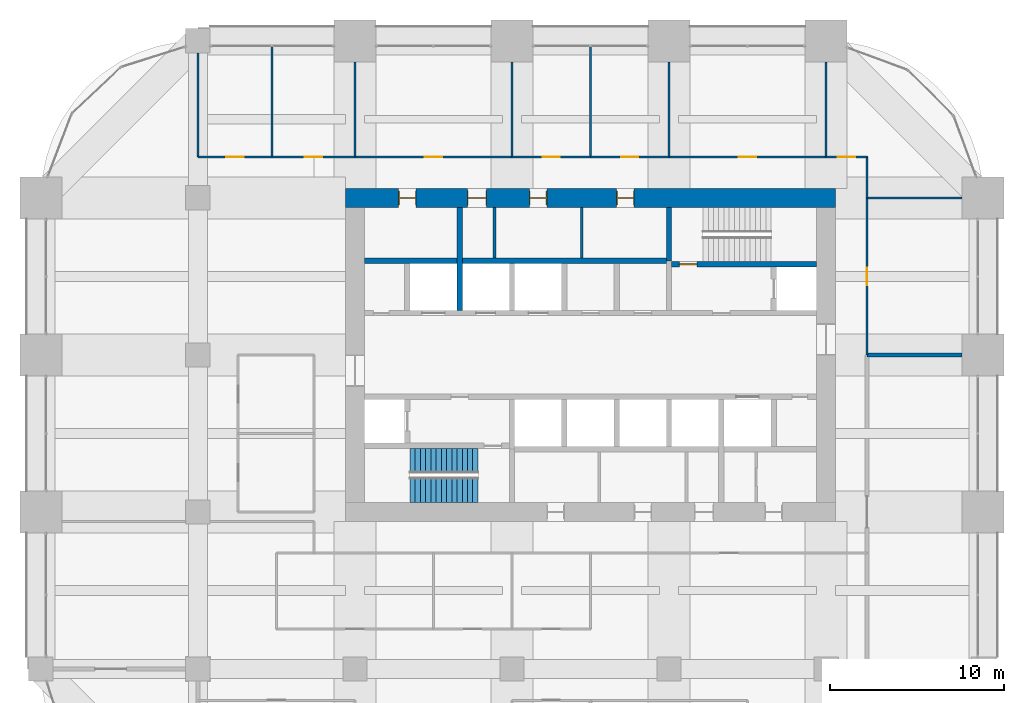
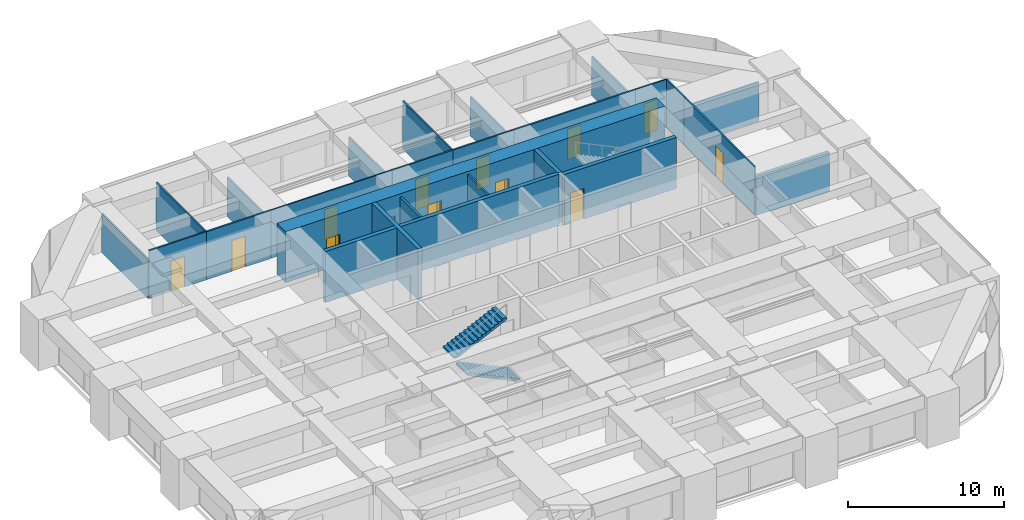
# One storey, part 32 of 34: 25 walls, 13 doors, 2 stair flights, 13 openings, 1 element without a shape of its own.
"""IFC4 building model written with IfcOpenShell, lengths in metres."""

from ifc_helpers import new_model, si_unit, direction, frame, frame_2d, origin, place, context, subcontext, project, spatial, polyline, rectangle, outline, extrude, material, layer, layer_set, type_object, element, fill, aggregate, save


model = new_model("IFC4")

# Units and contexts
model_context = context("Model", 3, precision=1e-05, world=origin(), true_north=direction((0.0, 1.0)))
body_context = subcontext(model_context, "Body", "Model", "MODEL_VIEW")
ifc_project = project(units=[si_unit("LENGTHUNIT", "METRE"), si_unit("AREAUNIT", "SQUARE_METRE"), si_unit("VOLUMEUNIT", "CUBIC_METRE"), si_unit("PLANEANGLEUNIT", "RADIAN"), si_unit("MASSUNIT", "GRAM", prefix="KILO")], contexts=[model_context])

# Site, building, storey
site_placement = place(None, origin())
site = spatial("IfcSite", under=ifc_project, at=site_placement, CompositionType="ELEMENT")
building_placement = place(site_placement, origin())
building = spatial("IfcBuilding", under=site, at=building_placement, Name="Zorevar Civic Tower", CompositionType="ELEMENT")
storey_placement = place(building_placement, frame((0.0, 0.0, 226.199951171875)))
storey = spatial("IfcBuildingStorey", under=building, at=storey_placement, Name="L55", CompositionType="ELEMENT", Elevation=226.199951171875)

# Wall
ifc_material_1 = material(Name="Twin-stud acoustic wall, gypsum board")
ifc_layer_1 = layer(ifc_material_1, 0.25)
ifc_layer_set_1 = layer_set([ifc_layer_1], Name="Acoustic wall 250")
wall_type_1 = type_object("IfcWallType", Name="Acoustic wall 250", PredefinedType="PARTITIONING", material=ifc_layer_set_1)
wall_1_placement = place(storey_placement, frame((47.35009765625, 27.0, 0.0), z_axis=(0.0, 0.0, 1.0), x_axis=(1.0, 0.0, 0.0)))
element("IfcWall", 1, at=wall_1_placement, inside=storey, type_object=wall_type_1, Name="Acoustic wall 250 L55", PredefinedType="PARTITIONING", context=body_context, shape_type="SweptSolid", body=[
    extrude(rectangle(XDim=5.449951171875, YDim=0.25, at=frame_2d((2.72509765625, 0.0))), origin(), (0.0, 0.0, 1.0), 3.050048828125),
])

# Wall, openings, doors
ifc_material_2 = material(Name="Concrete C50/60", Category="concrete")
ifc_layer_2 = layer(ifc_material_2, 1.10009765625)
ifc_layer_set_2 = layer_set([ifc_layer_2], Name="Core wall 1100")
wall_type_2 = type_object("IfcWallType", Name="Core wall 1100", PredefinedType="SHEAR", material=ifc_layer_set_2)
wall_2_placement = place(storey_placement, frame((45.550048828125, 36.0, 0.0), z_axis=(0.0, 0.0, 1.0), x_axis=(-1.0, 0.0, 0.0)))
wall_2 = element("IfcWall", 2, at=wall_2_placement, inside=storey, type_object=wall_type_2, Name="Core wall N L55", PredefinedType="SHEAR", context=body_context, shape_type="SweptSolid", body=[
    extrude(rectangle(XDim=28.10009765625, YDim=1.10009765625, at=frame_2d((14.050048828125, 0.0))), origin(), (0.0, 0.0, 1.0), 4.0),
])
opening_1_placement = place(wall_2_placement, frame((11.550048828125, 0.0, 0.0)))
opening_1 = element("IfcOpeningElement", 3, at=opening_1_placement, cuts=wall_2, Name="Opening L55.07", PredefinedType="OPENING", context=body_context, shape_type="SweptSolid", body=[
    extrude(rectangle(XDim=1.0, YDim=2.39990234375, at=frame_2d((0.5, 1.199951171875))), frame((0.0, 0.56005859375, 0.0), z_axis=(0.0, -1.0, 0.0), x_axis=(1.0, 0.0, 0.0)), (0.0, 0.0, 1.0), 1.1201171875),
])
opening_2_placement = place(wall_2_placement, frame((16.550048828125, 0.0, 0.0)))
opening_2 = element("IfcOpeningElement", 4, at=opening_2_placement, cuts=wall_2, Name="Opening L55.08", PredefinedType="OPENING", context=body_context, shape_type="SweptSolid", body=[
    extrude(rectangle(XDim=1.0, YDim=2.39990234375, at=frame_2d((0.5, 1.199951171875))), frame((0.0, 0.56005859375, 0.0), z_axis=(0.0, -1.0, 0.0), x_axis=(1.0, 0.0, 0.0)), (0.0, 0.0, 1.0), 1.1201171875),
])
opening_3_placement = place(wall_2_placement, frame((20.0, 0.0, 0.0)))
opening_3 = element("IfcOpeningElement", 5, at=opening_3_placement, cuts=wall_2, Name="Opening L55.09", PredefinedType="OPENING", context=body_context, shape_type="SweptSolid", body=[
    extrude(rectangle(XDim=1.10009765625, YDim=2.39990234375, at=frame_2d((0.550048828125, 1.199951171875))), frame((0.0, 0.56005859375, 0.0), z_axis=(0.0, -1.0, 0.0), x_axis=(1.0, 0.0, 0.0)), (0.0, 0.0, 1.0), 1.1201171875),
])
opening_4_placement = place(wall_2_placement, frame((24.050048828125, 0.0, 0.0)))
opening_4 = element("IfcOpeningElement", 6, at=opening_4_placement, cuts=wall_2, Name="Opening L55.10", PredefinedType="OPENING", context=body_context, shape_type="SweptSolid", body=[
    extrude(rectangle(XDim=1.0, YDim=2.39990234375, at=frame_2d((0.5, 1.199951171875))), frame((0.0, 0.56005859375, 0.0), z_axis=(0.0, -1.0, 0.0), x_axis=(1.0, 0.0, 0.0)), (0.0, 0.0, 1.0), 1.1201171875),
])
ifc_material_3 = material(Name="Timber door set", Category="wood")
door_type_1 = type_object("IfcDoorType", Name="Door D1 1000x2400", OperationType="SINGLE_SWING_LEFT", PredefinedType="DOOR", material=ifc_material_3)
door_1_placement = place(opening_1_placement, origin())
door_1 = element("IfcDoor", 7, at=door_1_placement, inside=storey, type_object=door_type_1, Name="Door L55 06", OperationType="SINGLE_SWING_RIGHT", OverallHeight=2.39990234375, OverallWidth=1.0, PredefinedType="DOOR", context=body_context, shape_type="SweptSolid", body=[
    extrude(rectangle(XDim=1.0, YDim=2.39990234375, at=frame_2d((0.5, 1.199951171875))), frame((0.0, 0.02490234375, 0.0), z_axis=(0.0, -1.0, 0.0), x_axis=(1.0, 0.0, 0.0)), (0.0, 0.0, 1.0), 0.050048828125),
    extrude(rectangle(XDim=0.04, YDim=2.39990234375, at=frame_2d((0.02001953125, 1.199951171875))), frame((0.0, 0.39990234375, 0.0), z_axis=(0.0, -1.0, 0.0), x_axis=(1.0, 0.0, 0.0)), (0.0, 0.0, 1.0), 0.800048828125),
    extrude(rectangle(XDim=0.04, YDim=2.39990234375, at=frame_2d((0.97998046875, 1.199951171875))), frame((0.0, 0.39990234375, 0.0), z_axis=(0.0, -1.0, 0.0), x_axis=(1.0, 0.0, 0.0)), (0.0, 0.0, 1.0), 0.800048828125),
    extrude(rectangle(XDim=1.0, YDim=0.04, at=frame_2d((0.5, 2.3798828125))), frame((0.0, 0.39990234375, 0.0), z_axis=(0.0, -1.0, 0.0), x_axis=(1.0, 0.0, 0.0)), (0.0, 0.0, 1.0), 0.800048828125),
])
fill(opening_1, door_1)
door_2_placement = place(opening_2_placement, origin())
door_2 = element("IfcDoor", 8, at=door_2_placement, inside=storey, type_object=door_type_1, Name="Door L55 07", OperationType="SINGLE_SWING_LEFT", OverallHeight=2.39990234375, OverallWidth=1.0, PredefinedType="DOOR", context=body_context, shape_type="SweptSolid", body=[
    extrude(rectangle(XDim=1.0, YDim=2.39990234375, at=frame_2d((0.5, 1.199951171875))), frame((0.0, 0.02490234375, 0.0), z_axis=(0.0, -1.0, 0.0), x_axis=(1.0, 0.0, 0.0)), (0.0, 0.0, 1.0), 0.050048828125),
    extrude(rectangle(XDim=0.04, YDim=2.39990234375, at=frame_2d((0.02001953125, 1.199951171875))), frame((0.0, 0.39990234375, 0.0), z_axis=(0.0, -1.0, 0.0), x_axis=(1.0, 0.0, 0.0)), (0.0, 0.0, 1.0), 0.800048828125),
    extrude(rectangle(XDim=0.04, YDim=2.39990234375, at=frame_2d((0.97998046875, 1.199951171875))), frame((0.0, 0.39990234375, 0.0), z_axis=(0.0, -1.0, 0.0), x_axis=(1.0, 0.0, 0.0)), (0.0, 0.0, 1.0), 0.800048828125),
    extrude(rectangle(XDim=1.0, YDim=0.04, at=frame_2d((0.5, 2.3798828125))), frame((0.0, 0.39990234375, 0.0), z_axis=(0.0, -1.0, 0.0), x_axis=(1.0, 0.0, 0.0)), (0.0, 0.0, 1.0), 0.800048828125),
])
fill(opening_2, door_2)
door_3_placement = place(opening_4_placement, origin())
door_3 = element("IfcDoor", 9, at=door_3_placement, inside=storey, type_object=door_type_1, Name="Door L55 09", OperationType="SINGLE_SWING_LEFT", OverallHeight=2.39990234375, OverallWidth=1.0, PredefinedType="DOOR", context=body_context, shape_type="SweptSolid", body=[
    extrude(rectangle(XDim=1.0, YDim=2.39990234375, at=frame_2d((0.5, 1.199951171875))), frame((0.0, 0.02490234375, 0.0), z_axis=(0.0, -1.0, 0.0), x_axis=(1.0, 0.0, 0.0)), (0.0, 0.0, 1.0), 0.050048828125),
    extrude(rectangle(XDim=0.04, YDim=2.39990234375, at=frame_2d((0.02001953125, 1.199951171875))), frame((0.0, 0.39990234375, 0.0), z_axis=(0.0, -1.0, 0.0), x_axis=(1.0, 0.0, 0.0)), (0.0, 0.0, 1.0), 0.800048828125),
    extrude(rectangle(XDim=0.04, YDim=2.39990234375, at=frame_2d((0.97998046875, 1.199951171875))), frame((0.0, 0.39990234375, 0.0), z_axis=(0.0, -1.0, 0.0), x_axis=(1.0, 0.0, 0.0)), (0.0, 0.0, 1.0), 0.800048828125),
    extrude(rectangle(XDim=1.0, YDim=0.04, at=frame_2d((0.5, 2.3798828125))), frame((0.0, 0.39990234375, 0.0), z_axis=(0.0, -1.0, 0.0), x_axis=(1.0, 0.0, 0.0)), (0.0, 0.0, 1.0), 0.800048828125),
])
fill(opening_4, door_3)
ifc_material_4 = material(Name="Timber door set", Category="wood")
door_type_2 = type_object("IfcDoorType", Name="Door D5 1100x2400", OperationType="SINGLE_SWING_LEFT", PredefinedType="DOOR", material=ifc_material_4)
door_4_placement = place(opening_3_placement, origin())
door_4 = element("IfcDoor", 10, at=door_4_placement, inside=storey, type_object=door_type_2, Name="Door L55 08", OperationType="SINGLE_SWING_LEFT", OverallHeight=2.39990234375, OverallWidth=1.10009765625, PredefinedType="DOOR", context=body_context, shape_type="SweptSolid", body=[
    extrude(rectangle(XDim=1.10009765625, YDim=2.39990234375, at=frame_2d((0.550048828125, 1.199951171875))), frame((0.0, 0.02490234375, 0.0), z_axis=(0.0, -1.0, 0.0), x_axis=(1.0, 0.0, 0.0)), (0.0, 0.0, 1.0), 0.050048828125),
    extrude(rectangle(XDim=0.04, YDim=2.39990234375, at=frame_2d((0.02001953125, 1.199951171875))), frame((0.0, 0.43994140625, 0.0), z_axis=(0.0, -1.0, 0.0), x_axis=(1.0, 0.0, 0.0)), (0.0, 0.0, 1.0), 0.880126953125),
    extrude(rectangle(XDim=0.04, YDim=2.39990234375, at=frame_2d((1.080078125, 1.199951171875))), frame((0.0, 0.43994140625, 0.0), z_axis=(0.0, -1.0, 0.0), x_axis=(1.0, 0.0, 0.0)), (0.0, 0.0, 1.0), 0.880126953125),
    extrude(rectangle(XDim=1.10009765625, YDim=0.04, at=frame_2d((0.550048828125, 2.3798828125))), frame((0.0, 0.43994140625, 0.0), z_axis=(0.0, -1.0, 0.0), x_axis=(1.0, 0.0, 0.0)), (0.0, 0.0, 1.0), 0.880126953125),
])
fill(opening_3, door_4)

# Wall, opening, door
ifc_material_5 = material(Name="Laminated glass in black aluminium frame", Category="aluminium")
ifc_layer_3 = layer(ifc_material_5, 0.10009765625)
ifc_layer_set_3 = layer_set([ifc_layer_3], Name="Glazed partition 100")
wall_type_3 = type_object("IfcWallType", Name="Glazed partition 100", PredefinedType="PARTITIONING", material=ifc_layer_set_3)
wall_3_placement = place(storey_placement, frame((18.0, 38.35009765625, 0.0), z_axis=(0.0, 0.0, 1.0), x_axis=(1.0, 0.0, 0.0)))
wall_3 = element("IfcWall", 11, at=wall_3_placement, inside=storey, type_object=wall_type_3, Name="Glazed partition 100 L55", PredefinedType="PARTITIONING", context=body_context, shape_type="SweptSolid", body=[
    extrude(rectangle(XDim=9.0, YDim=0.10009765625, at=frame_2d((4.5, 0.0))), origin(), (0.0, 0.0, 1.0), 3.75),
])
opening_5_placement = place(wall_3_placement, frame((4.0, 0.0, 0.0)))
opening_5 = element("IfcOpeningElement", 12, at=opening_5_placement, cuts=wall_3, Name="Opening L55.29", PredefinedType="OPENING", context=body_context, shape_type="SweptSolid", body=[
    extrude(rectangle(XDim=1.0, YDim=2.39990234375, at=frame_2d((0.5, 1.199951171875))), frame((0.0, 0.06005859375, 0.0), z_axis=(0.0, -1.0, 0.0), x_axis=(1.0, 0.0, 0.0)), (0.0, 0.0, 1.0), 0.1201171875),
])
ifc_material_6 = material(Name="Timber door set", Category="wood")
door_type_3 = type_object("IfcDoorType", Name="Glazed door GD1 1000x2400", OperationType="SINGLE_SWING_LEFT", PredefinedType="DOOR", material=ifc_material_6)
door_5_placement = place(opening_5_placement, origin())
door_5 = element("IfcDoor", 13, at=door_5_placement, inside=storey, type_object=door_type_3, Name="Door L55 D1", OperationType="SINGLE_SWING_LEFT", OverallHeight=2.39990234375, OverallWidth=1.0, PredefinedType="DOOR", context=body_context, shape_type="SweptSolid", body=[
    extrude(rectangle(XDim=1.0, YDim=2.39990234375, at=frame_2d((0.5, 1.199951171875))), frame((0.0, 0.02001953125, 0.0), z_axis=(0.0, -1.0, 0.0), x_axis=(1.0, 0.0, 0.0)), (0.0, 0.0, 1.0), 0.0400390625),
])
fill(opening_5, door_5)

wall_4_placement = place(storey_placement, frame((45.0, 38.35009765625, 0.0), z_axis=(0.0, 0.0, 1.0), x_axis=(1.0, 0.0, 0.0)))
wall_4 = element("IfcWall", 14, at=wall_4_placement, inside=storey, type_object=wall_type_3, Name="Glazed partition 100 L55", PredefinedType="PARTITIONING", context=body_context, shape_type="SweptSolid", body=[
    extrude(rectangle(XDim=2.35009765625, YDim=0.10009765625, at=frame_2d((1.175048828125, 0.0))), origin(), (0.0, 0.0, 1.0), 3.75),
])
opening_6_placement = place(wall_4_placement, frame((0.675048828125, 0.0, 0.0)))
opening_6 = element("IfcOpeningElement", 15, at=opening_6_placement, cuts=wall_4, Name="Opening L55.30", PredefinedType="OPENING", context=body_context, shape_type="SweptSolid", body=[
    extrude(rectangle(XDim=1.0, YDim=2.39990234375, at=frame_2d((0.5, 1.199951171875))), frame((0.0, 0.06005859375, 0.0), z_axis=(0.0, -1.0, 0.0), x_axis=(1.0, 0.0, 0.0)), (0.0, 0.0, 1.0), 0.1201171875),
])
door_6_placement = place(opening_6_placement, origin())
door_6 = element("IfcDoor", 16, at=door_6_placement, inside=storey, type_object=door_type_3, Name="Door L55 D1", OperationType="SINGLE_SWING_RIGHT", OverallHeight=2.39990234375, OverallWidth=1.0, PredefinedType="DOOR", context=body_context, shape_type="SweptSolid", body=[
    extrude(rectangle(XDim=1.0, YDim=2.39990234375, at=frame_2d((0.5, 1.199951171875))), frame((0.0, 0.02001953125, 0.0), z_axis=(0.0, -1.0, 0.0), x_axis=(1.0, 0.0, 0.0)), (0.0, 0.0, 1.0), 0.0400390625),
])
fill(opening_6, door_6)

# Wall
wall_5_placement = place(storey_placement, frame((47.35009765625, 36.0, 0.0), z_axis=(0.0, 0.0, 1.0), x_axis=(0.0, 1.0, 0.0)))
element("IfcWall", 17, at=wall_5_placement, inside=storey, type_object=wall_type_3, Name="Glazed partition 100 L55", PredefinedType="PARTITIONING", context=body_context, shape_type="SweptSolid", body=[
    extrude(rectangle(XDim=2.35009765625, YDim=0.10009765625, at=frame_2d((1.175048828125, 0.0))), origin(), (0.0, 0.0, 1.0), 3.75),
])

# Wall, opening, door
ifc_material_7 = material(Name="Concrete C40/50", Category="concrete")
ifc_layer_4 = layer(ifc_material_7, 0.300048828125)
ifc_layer_set_4 = layer_set([ifc_layer_4], Name="Inner core wall 300")
wall_type_4 = type_object("IfcWallType", Name="Inner core wall 300", PredefinedType="SHEAR", material=ifc_layer_set_4)
wall_6_placement = place(storey_placement, frame((36.14990234375, 32.199951171875, 0.0), z_axis=(0.0, 0.0, 1.0), x_axis=(1.0, 0.0, 0.0)))
wall_6 = element("IfcWall", 18, at=wall_6_placement, inside=storey, type_object=wall_type_4, Name="Inner core wall N00 L55", PredefinedType="SHEAR", context=body_context, shape_type="SweptSolid", body=[
    extrude(rectangle(XDim=8.300048828125, YDim=0.300048828125, at=frame_2d((4.14990234375, 0.0))), origin(), (0.0, 0.0, 1.0), 4.0),
])
opening_7_placement = place(wall_6_placement, frame((0.449951171875, 0.0, 0.0)))
opening_7 = element("IfcOpeningElement", 19, at=opening_7_placement, cuts=wall_6, Name="Opening L55.12", PredefinedType="OPENING", context=body_context, shape_type="SweptSolid", body=[
    extrude(rectangle(XDim=1.0, YDim=2.39990234375, at=frame_2d((0.5, 1.199951171875))), frame((0.0, 0.159912109375, 0.0), z_axis=(0.0, -1.0, 0.0), x_axis=(1.0, 0.0, 0.0)), (0.0, 0.0, 1.0), 0.320068359375),
])
ifc_material_8 = material(Name="Steel door set", Category="steel")
door_type_4 = type_object("IfcDoorType", Name="Fire door FD1 1000x2400", OperationType="SINGLE_SWING_LEFT", PredefinedType="DOOR", material=ifc_material_8)
door_7_placement = place(opening_7_placement, origin())
door_7 = element("IfcDoor", 20, at=door_7_placement, inside=storey, type_object=door_type_4, Name="Door L55 11", OperationType="SINGLE_SWING_RIGHT", OverallHeight=2.39990234375, OverallWidth=1.0, PredefinedType="DOOR", context=body_context, shape_type="SweptSolid", body=[
    extrude(rectangle(XDim=1.0, YDim=2.39990234375, at=frame_2d((0.5, 1.199951171875))), frame((0.0, 0.030029296875, 0.0), z_axis=(0.0, -1.0, 0.0), x_axis=(1.0, 0.0, 0.0)), (0.0, 0.0, 1.0), 0.06005859375),
])
fill(opening_7, door_7)

# Walls
wall_7_placement = place(storey_placement, frame((36.0, 32.39990234375, 0.0), z_axis=(0.0, 0.0, 1.0), x_axis=(0.0, 1.0, 0.0)))
element("IfcWall", 21, at=wall_7_placement, inside=storey, type_object=wall_type_4, Name="Inner core wall N01 L55", PredefinedType="SHEAR", context=body_context, shape_type="SweptSolid", body=[
    extrude(rectangle(XDim=3.050048828125, YDim=0.300048828125, at=frame_2d((1.52490234375, 0.0))), origin(), (0.0, 0.0, 1.0), 4.0),
])
wall_8_placement = place(storey_placement, frame((18.550048828125, 32.39990234375, 0.0), z_axis=(0.0, 0.0, 1.0), x_axis=(1.0, 0.0, 0.0)))
element("IfcWall", 22, at=wall_8_placement, inside=storey, type_object=wall_type_4, Name="Inner core wall N04 L55", PredefinedType="SHEAR", context=body_context, shape_type="SweptSolid", body=[
    extrude(rectangle(XDim=17.300048828125, YDim=0.300048828125, at=frame_2d((8.64990234375, 0.0))), origin(), (0.0, 0.0, 1.0), 4.0),
])
wall_9_placement = place(storey_placement, frame((24.0, 29.550048828125, 0.0), z_axis=(0.0, 0.0, 1.0), x_axis=(0.0, 1.0, 0.0)))
element("IfcWall", 23, at=wall_9_placement, inside=storey, type_object=wall_type_4, Name="Inner core wall N08 L55", PredefinedType="SHEAR", context=body_context, shape_type="SweptSolid", body=[
    extrude(rectangle(XDim=5.89990234375, YDim=0.300048828125, at=frame_2d((2.949951171875, 0.0))), origin(), (0.0, 0.0, 1.0), 4.0),
])
ifc_material_9 = material(Name="Gypsum board on steel studs", Category="steel")
ifc_layer_5 = layer(ifc_material_9, 0.1201171875)
ifc_layer_set_5 = layer_set([ifc_layer_5], Name="Partition 120")
wall_type_5 = type_object("IfcWallType", Name="Partition 120", PredefinedType="PARTITIONING", material=ifc_layer_set_5)
wall_10_placement = place(storey_placement, frame((47.35009765625, 36.0, 0.0), z_axis=(0.0, 0.0, 1.0), x_axis=(1.0, 0.0, 0.0)))
element("IfcWall", 24, at=wall_10_placement, inside=storey, type_object=wall_type_5, Name="Partition 120 L55", PredefinedType="PARTITIONING", context=body_context, shape_type="SweptSolid", body=[
    extrude(rectangle(XDim=5.449951171875, YDim=0.1201171875, at=frame_2d((2.72509765625, 0.0))), origin(), (0.0, 0.0, 1.0), 3.050048828125),
])

# Wall, opening, door
wall_11_placement = place(storey_placement, frame((9.0, 38.35009765625, 0.0), z_axis=(0.0, 0.0, 1.0), x_axis=(1.0, 0.0, 0.0)))
wall_11 = element("IfcWall", 25, at=wall_11_placement, inside=storey, type_object=wall_type_5, Name="Partition 120 L55", PredefinedType="PARTITIONING", context=body_context, shape_type="SweptSolid", body=[
    extrude(rectangle(XDim=4.25, YDim=0.1201171875, at=frame_2d((2.125, 0.0))), origin(), (0.0, 0.0, 1.0), 3.75),
])
opening_8_placement = place(wall_11_placement, frame((1.625, 0.0, 0.0)))
opening_8 = element("IfcOpeningElement", 26, at=opening_8_placement, cuts=wall_11, Name="Opening L55.24", PredefinedType="OPENING", context=body_context, shape_type="SweptSolid", body=[
    extrude(rectangle(XDim=1.0, YDim=2.39990234375, at=frame_2d((0.5, 1.199951171875))), frame((0.0, 0.070068359375, 0.0), z_axis=(0.0, -1.0, 0.0), x_axis=(1.0, 0.0, 0.0)), (0.0, 0.0, 1.0), 0.14013671875),
])
door_8_placement = place(opening_8_placement, origin())
door_8 = element("IfcDoor", 27, at=door_8_placement, inside=storey, type_object=door_type_1, Name="Door L55 D1", OperationType="SINGLE_SWING_RIGHT", OverallHeight=2.39990234375, OverallWidth=1.0, PredefinedType="DOOR", context=body_context, shape_type="SweptSolid", body=[
    extrude(rectangle(XDim=1.0, YDim=2.39990234375, at=frame_2d((0.5, 1.199951171875))), frame((0.0, 0.02490234375, 0.0), z_axis=(0.0, -1.0, 0.0), x_axis=(1.0, 0.0, 0.0)), (0.0, 0.0, 1.0), 0.050048828125),
])
fill(opening_8, door_8)

wall_12_placement = place(storey_placement, frame((13.25, 38.35009765625, 0.0), z_axis=(0.0, 0.0, 1.0), x_axis=(1.0, 0.0, 0.0)))
wall_12 = element("IfcWall", 28, at=wall_12_placement, inside=storey, type_object=wall_type_5, Name="Partition 120 L55", PredefinedType="PARTITIONING", context=body_context, shape_type="SweptSolid", body=[
    extrude(rectangle(XDim=4.75, YDim=0.1201171875, at=frame_2d((2.375, 0.0))), origin(), (0.0, 0.0, 1.0), 3.75),
])
opening_9_placement = place(wall_12_placement, frame((1.875, 0.0, 0.0)))
opening_9 = element("IfcOpeningElement", 29, at=opening_9_placement, cuts=wall_12, Name="Opening L55.25", PredefinedType="OPENING", context=body_context, shape_type="SweptSolid", body=[
    extrude(rectangle(XDim=1.0, YDim=2.39990234375, at=frame_2d((0.5, 1.199951171875))), frame((0.0, 0.070068359375, 0.0), z_axis=(0.0, -1.0, 0.0), x_axis=(1.0, 0.0, 0.0)), (0.0, 0.0, 1.0), 0.14013671875),
])
door_9_placement = place(opening_9_placement, origin())
door_9 = element("IfcDoor", 30, at=door_9_placement, inside=storey, type_object=door_type_1, Name="Door L55 D1", OperationType="SINGLE_SWING_RIGHT", OverallHeight=2.39990234375, OverallWidth=1.0, PredefinedType="DOOR", context=body_context, shape_type="SweptSolid", body=[
    extrude(rectangle(XDim=1.0, YDim=2.39990234375, at=frame_2d((0.5, 1.199951171875))), frame((0.0, 0.02490234375, 0.0), z_axis=(0.0, -1.0, 0.0), x_axis=(1.0, 0.0, 0.0)), (0.0, 0.0, 1.0), 0.050048828125),
])
fill(opening_9, door_9)

wall_13_placement = place(storey_placement, frame((27.0, 38.35009765625, 0.0), z_axis=(0.0, 0.0, 1.0), x_axis=(1.0, 0.0, 0.0)))
wall_13 = element("IfcWall", 31, at=wall_13_placement, inside=storey, type_object=wall_type_5, Name="Partition 120 L55", PredefinedType="PARTITIONING", context=body_context, shape_type="SweptSolid", body=[
    extrude(rectangle(XDim=4.5, YDim=0.1201171875, at=frame_2d((2.25, 0.0))), origin(), (0.0, 0.0, 1.0), 3.75),
])
opening_10_placement = place(wall_13_placement, frame((1.75, 0.0, 0.0)))
opening_10 = element("IfcOpeningElement", 32, at=opening_10_placement, cuts=wall_13, Name="Opening L55.26", PredefinedType="OPENING", context=body_context, shape_type="SweptSolid", body=[
    extrude(rectangle(XDim=1.0, YDim=2.39990234375, at=frame_2d((0.5, 1.199951171875))), frame((0.0, 0.070068359375, 0.0), z_axis=(0.0, -1.0, 0.0), x_axis=(1.0, 0.0, 0.0)), (0.0, 0.0, 1.0), 0.14013671875),
])
door_10_placement = place(opening_10_placement, origin())
door_10 = element("IfcDoor", 33, at=door_10_placement, inside=storey, type_object=door_type_1, Name="Door L55 D1", OperationType="SINGLE_SWING_RIGHT", OverallHeight=2.39990234375, OverallWidth=1.0, PredefinedType="DOOR", context=body_context, shape_type="SweptSolid", body=[
    extrude(rectangle(XDim=1.0, YDim=2.39990234375, at=frame_2d((0.5, 1.199951171875))), frame((0.0, 0.02490234375, 0.0), z_axis=(0.0, -1.0, 0.0), x_axis=(1.0, 0.0, 0.0)), (0.0, 0.0, 1.0), 0.050048828125),
])
fill(opening_10, door_10)

wall_14_placement = place(storey_placement, frame((31.5, 38.35009765625, 0.0), z_axis=(0.0, 0.0, 1.0), x_axis=(1.0, 0.0, 0.0)))
wall_14 = element("IfcWall", 34, at=wall_14_placement, inside=storey, type_object=wall_type_5, Name="Partition 120 L55", PredefinedType="PARTITIONING", context=body_context, shape_type="SweptSolid", body=[
    extrude(rectangle(XDim=4.5, YDim=0.1201171875, at=frame_2d((2.25, 0.0))), origin(), (0.0, 0.0, 1.0), 3.75),
])
opening_11_placement = place(wall_14_placement, frame((1.75, 0.0, 0.0)))
opening_11 = element("IfcOpeningElement", 35, at=opening_11_placement, cuts=wall_14, Name="Opening L55.27", PredefinedType="OPENING", context=body_context, shape_type="SweptSolid", body=[
    extrude(rectangle(XDim=1.0, YDim=2.39990234375, at=frame_2d((0.5, 1.199951171875))), frame((0.0, 0.070068359375, 0.0), z_axis=(0.0, -1.0, 0.0), x_axis=(1.0, 0.0, 0.0)), (0.0, 0.0, 1.0), 0.14013671875),
])
door_11_placement = place(opening_11_placement, origin())
door_11 = element("IfcDoor", 36, at=door_11_placement, inside=storey, type_object=door_type_1, Name="Door L55 D1", OperationType="SINGLE_SWING_LEFT", OverallHeight=2.39990234375, OverallWidth=1.0, PredefinedType="DOOR", context=body_context, shape_type="SweptSolid", body=[
    extrude(rectangle(XDim=1.0, YDim=2.39990234375, at=frame_2d((0.5, 1.199951171875))), frame((0.0, 0.02490234375, 0.0), z_axis=(0.0, -1.0, 0.0), x_axis=(1.0, 0.0, 0.0)), (0.0, 0.0, 1.0), 0.050048828125),
])
fill(opening_11, door_11)

wall_15_placement = place(storey_placement, frame((36.0, 38.35009765625, 0.0), z_axis=(0.0, 0.0, 1.0), x_axis=(1.0, 0.0, 0.0)))
wall_15 = element("IfcWall", 37, at=wall_15_placement, inside=storey, type_object=wall_type_5, Name="Partition 120 L55", PredefinedType="PARTITIONING", context=body_context, shape_type="SweptSolid", body=[
    extrude(rectangle(XDim=9.0, YDim=0.1201171875, at=frame_2d((4.5, 0.0))), origin(), (0.0, 0.0, 1.0), 3.75),
])
opening_12_placement = place(wall_15_placement, frame((4.0, 0.0, 0.0)))
opening_12 = element("IfcOpeningElement", 38, at=opening_12_placement, cuts=wall_15, Name="Opening L55.28", PredefinedType="OPENING", context=body_context, shape_type="SweptSolid", body=[
    extrude(rectangle(XDim=1.0, YDim=2.39990234375, at=frame_2d((0.5, 1.199951171875))), frame((0.0, 0.070068359375, 0.0), z_axis=(0.0, -1.0, 0.0), x_axis=(1.0, 0.0, 0.0)), (0.0, 0.0, 1.0), 0.14013671875),
])
door_12_placement = place(opening_12_placement, origin())
door_12 = element("IfcDoor", 39, at=door_12_placement, inside=storey, type_object=door_type_1, Name="Door L55 D1", OperationType="SINGLE_SWING_RIGHT", OverallHeight=2.39990234375, OverallWidth=1.0, PredefinedType="DOOR", context=body_context, shape_type="SweptSolid", body=[
    extrude(rectangle(XDim=1.0, YDim=2.39990234375, at=frame_2d((0.5, 1.199951171875))), frame((0.0, 0.02490234375, 0.0), z_axis=(0.0, -1.0, 0.0), x_axis=(1.0, 0.0, 0.0)), (0.0, 0.0, 1.0), 0.050048828125),
])
fill(opening_12, door_12)

# Walls
wall_16_placement = place(storey_placement, frame((9.0, 38.35009765625, 0.0), z_axis=(0.0, 0.0, 1.0), x_axis=(0.0, 1.0, 0.0)))
element("IfcWall", 40, at=wall_16_placement, inside=storey, type_object=wall_type_5, Name="Partition 120 L55", PredefinedType="PARTITIONING", context=body_context, shape_type="SweptSolid", body=[
    extrude(rectangle(XDim=5.949951171875, YDim=0.1201171875, at=frame_2d((2.97509765625, 0.0))), origin(), (0.0, 0.0, 1.0), 3.050048828125),
])
wall_17_placement = place(storey_placement, frame((13.25, 38.35009765625, 0.0), z_axis=(0.0, 0.0, 1.0), x_axis=(0.0, 1.0, 0.0)))
element("IfcWall", 41, at=wall_17_placement, inside=storey, type_object=wall_type_5, Name="Partition 120 L55", PredefinedType="PARTITIONING", context=body_context, shape_type="SweptSolid", body=[
    extrude(rectangle(XDim=6.33984375, YDim=0.1201171875, at=frame_2d((3.169921875, 0.0))), origin(), (0.0, 0.0, 1.0), 3.75),
])
for number, where, z_axis, x_axis, name in (
    (42, (18.0, 38.35009765625, 0.0), (0.0, 0.0, 1.0), (0.0, 1.0, 0.0), "Partition 120 L55"),
    (43, (27.0, 38.35009765625, 0.0), (0.0, 0.0, 1.0), (0.0, 1.0, 0.0), "Partition 120 L55"),
):
    element("IfcWall", number, at=place(storey_placement, frame(where, z_axis=z_axis, x_axis=x_axis)), inside=storey, type_object=wall_type_5, Name=name, PredefinedType="PARTITIONING", context=body_context, shape_type="SweptSolid", body=[
        extrude(rectangle(XDim=5.449951171875, YDim=0.1201171875, at=frame_2d((2.72509765625, 0.0))), origin(), (0.0, 0.0, 1.0), 3.050048828125),
    ])
wall_18_placement = place(storey_placement, frame((31.5, 38.35009765625, 0.0), z_axis=(0.0, 0.0, 1.0), x_axis=(0.0, 1.0, 0.0)))
element("IfcWall", 44, at=wall_18_placement, inside=storey, type_object=wall_type_5, Name="Partition 120 L55", PredefinedType="PARTITIONING", context=body_context, shape_type="SweptSolid", body=[
    extrude(rectangle(XDim=6.33984375, YDim=0.1201171875, at=frame_2d((3.169921875, 0.0))), origin(), (0.0, 0.0, 1.0), 3.75),
])
for number, where, z_axis, x_axis, name in (
    (45, (36.0, 38.35009765625, 0.0), (0.0, 0.0, 1.0), (0.0, 1.0, 0.0), "Partition 120 L55"),
    (46, (45.0, 38.35009765625, 0.0), (0.0, 0.0, 1.0), (0.0, 1.0, 0.0), "Partition 120 L55"),
):
    element("IfcWall", number, at=place(storey_placement, frame(where, z_axis=z_axis, x_axis=x_axis)), inside=storey, type_object=wall_type_5, Name=name, PredefinedType="PARTITIONING", context=body_context, shape_type="SweptSolid", body=[
        extrude(rectangle(XDim=5.449951171875, YDim=0.1201171875, at=frame_2d((2.72509765625, 0.0))), origin(), (0.0, 0.0, 1.0), 3.050048828125),
    ])

# Wall, opening, door
wall_19_placement = place(storey_placement, frame((47.35009765625, 27.0, 0.0), z_axis=(0.0, 0.0, 1.0), x_axis=(0.0, 1.0, 0.0)))
wall_19 = element("IfcWall", 47, at=wall_19_placement, inside=storey, type_object=wall_type_5, Name="Partition 120 L55", PredefinedType="PARTITIONING", context=body_context, shape_type="SweptSolid", body=[
    extrude(rectangle(XDim=9.0, YDim=0.1201171875, at=frame_2d((4.5, 0.0))), origin(), (0.0, 0.0, 1.0), 3.75),
])
opening_13_placement = place(wall_19_placement, frame((4.0, 0.0, 0.0)))
opening_13 = element("IfcOpeningElement", 48, at=opening_13_placement, cuts=wall_19, Name="Opening L55.35", PredefinedType="OPENING", context=body_context, shape_type="SweptSolid", body=[
    extrude(rectangle(XDim=1.0, YDim=2.39990234375, at=frame_2d((0.5, 1.199951171875))), frame((0.0, 0.070068359375, 0.0), z_axis=(0.0, -1.0, 0.0), x_axis=(1.0, 0.0, 0.0)), (0.0, 0.0, 1.0), 0.14013671875),
])
door_13_placement = place(opening_13_placement, origin())
door_13 = element("IfcDoor", 49, at=door_13_placement, inside=storey, type_object=door_type_1, Name="Door L55 D1", OperationType="SINGLE_SWING_LEFT", OverallHeight=2.39990234375, OverallWidth=1.0, PredefinedType="DOOR", context=body_context, shape_type="SweptSolid", body=[
    extrude(rectangle(XDim=1.0, YDim=2.39990234375, at=frame_2d((0.5, 1.199951171875))), frame((0.0, 0.02490234375, 0.0), z_axis=(0.0, -1.0, 0.0), x_axis=(1.0, 0.0, 0.0)), (0.0, 0.0, 1.0), 0.050048828125),
])
fill(opening_13, door_13)

# Walls
ifc_material_10 = material(Name="Gypsum board on steel studs, moisture resistant", Category="steel")
ifc_layer_6 = layer(ifc_material_10, 0.14990234375)
ifc_layer_set_6 = layer_set([ifc_layer_6], Name="WC partition 150")
wall_type_6 = type_object("IfcWallType", Name="WC partition 150", PredefinedType="PARTITIONING", material=ifc_layer_set_6)
for number, where, z_axis, x_axis, name in (
    (50, (31.0, 32.550048828125, 0.0), (0.0, 0.0, 1.0), (0.0, 1.0, 0.0), "WC partition L55"),
    (51, (26.0, 32.550048828125, 0.0), (0.0, 0.0, 1.0), (0.0, 1.0, 0.0), "WC partition L55"),
):
    element("IfcWall", number, at=place(storey_placement, frame(where, z_axis=z_axis, x_axis=x_axis)), inside=storey, type_object=wall_type_6, Name=name, PredefinedType="PARTITIONING", context=body_context, shape_type="SweptSolid", body=[
        extrude(rectangle(XDim=2.89990234375, YDim=0.14990234375, at=frame_2d((1.449951171875, 0.0))), origin(), (0.0, 0.0, 1.0), 3.75),
    ])

# Stair, stair flights
ifc_material_11 = material(Name="Precast concrete C40/50", Category="concrete")
stair_type = type_object("IfcStairType", Name="Stair ST 28R", PredefinedType="HALF_TURN_STAIR", material=ifc_material_11)
stair_placement = place(storey_placement, origin())
stair = element("IfcStair", 52, at=stair_placement, inside=storey, type_object=stair_type, Name="Stair ST1 L55", PredefinedType="HALF_TURN_STAIR")
ifc_material_12 = material(Name="Precast concrete C40/50", Category="concrete")
stair_flight_type = type_object("IfcStairFlightType", Name="Stair flight", PredefinedType="STRAIGHT", material=ifc_material_12)
stair_flight_1_placement = place(storey_placement, frame((25.050048828125, 19.262451171875, 0.0), z_axis=(0.0, 0.0, 1.0), x_axis=(-1.0, 0.0, 0.0)))
stair_flight_1 = element("IfcStairFlight", 53, at=stair_flight_1_placement, type_object=stair_flight_type, Name="ST1 flight 1", NumberOfRisers=14, NumberOfTreads=13, PredefinedType="STRAIGHT", RiserHeight=0.142857143, TreadLength=0.3, context=body_context, shape_type="SweptSolid", body=[
    extrude(outline(polyline([(0.0, 0.0), (0.0, 0.142822265625), (0.300048828125, 0.142822265625), (0.300048828125, 0.28564453125), (0.60009765625, 0.28564453125), (0.60009765625, 0.428466796875), (0.89990234375, 0.428466796875), (0.89990234375, 0.571533203125), (1.199951171875, 0.571533203125), (1.199951171875, 0.71435546875), (1.5, 0.71435546875), (1.5, 0.857177734375), (1.800048828125, 0.857177734375), (1.800048828125, 1.0), (2.10009765625, 1.0), (2.10009765625, 1.142822265625), (2.39990234375, 1.142822265625), (2.39990234375, 1.28564453125), (2.699951171875, 1.28564453125), (2.699951171875, 1.428466796875), (3.0, 1.428466796875), (3.0, 1.571533203125), (3.300048828125, 1.571533203125), (3.300048828125, 1.71435546875), (3.60009765625, 1.71435546875), (3.60009765625, 1.857177734375), (3.89990234375, 1.857177734375), (3.89990234375, 2.0), (3.89990234375, 1.691162109375), (0.3486328125, 0.0), (0.0, 0.0)])), frame((0.0, 0.71240234375, 0.0), z_axis=(0.0, -1.0, 0.0), x_axis=(1.0, 0.0, 0.0)), (0.0, 0.0, 1.0), 1.425048828125),
])
stair_flight_2_placement = place(storey_placement, frame((21.14990234375, 20.9375, 2.0), z_axis=(0.0, 0.0, 1.0), x_axis=(1.0, 0.0, 0.0)))
stair_flight_2 = element("IfcStairFlight", 54, at=stair_flight_2_placement, type_object=stair_flight_type, Name="ST1 flight 2", NumberOfRisers=14, NumberOfTreads=13, PredefinedType="STRAIGHT", RiserHeight=0.142857143, TreadLength=0.3, context=body_context, shape_type="SweptSolid", body=[
    extrude(outline(polyline([(0.0, 0.0), (0.0, 0.142822265625), (0.300048828125, 0.142822265625), (0.300048828125, 0.28564453125), (0.60009765625, 0.28564453125), (0.60009765625, 0.428466796875), (0.89990234375, 0.428466796875), (0.89990234375, 0.571533203125), (1.199951171875, 0.571533203125), (1.199951171875, 0.71435546875), (1.5, 0.71435546875), (1.5, 0.857177734375), (1.800048828125, 0.857177734375), (1.800048828125, 1.0), (2.10009765625, 1.0), (2.10009765625, 1.142822265625), (2.39990234375, 1.142822265625), (2.39990234375, 1.28564453125), (2.699951171875, 1.28564453125), (2.699951171875, 1.428466796875), (3.0, 1.428466796875), (3.0, 1.571533203125), (3.300048828125, 1.571533203125), (3.300048828125, 1.71435546875), (3.60009765625, 1.71435546875), (3.60009765625, 1.857177734375), (3.89990234375, 1.857177734375), (3.89990234375, 2.0), (3.89990234375, 1.691162109375), (0.3486328125, 0.0), (0.0, 0.0)])), frame((0.0, 0.71240234375, 0.0), z_axis=(0.0, -1.0, 0.0), x_axis=(1.0, 0.0, 0.0)), (0.0, 0.0, 1.0), 1.425048828125),
])
aggregate(stair, [stair_flight_1, stair_flight_2])

save(model, "model.ifc")
